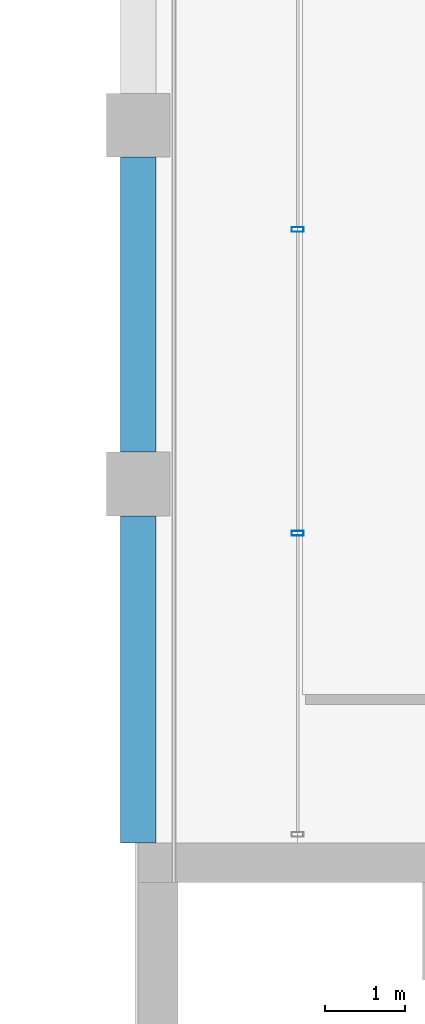
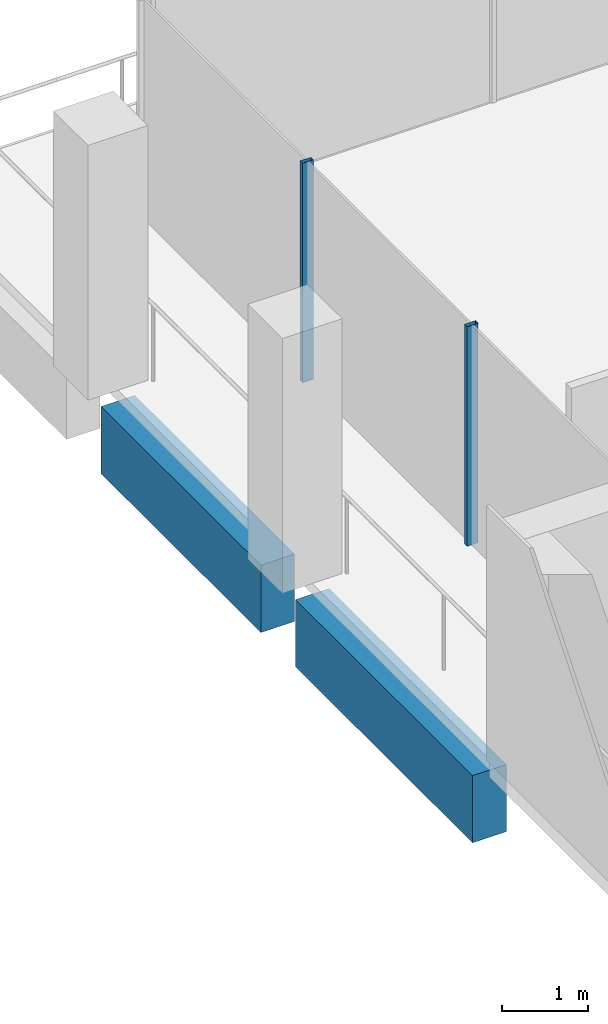
# One storey, part 20 of 30: 2 beams, 2 members, 1 element without a shape of its own.
"""IFC4 building model written with IfcOpenShell, lengths in metres."""

from ifc_helpers import new_model, si_unit, direction, frame, origin, origin_2d, place, context, subcontext, project, spatial, rectangle, hollow_rectangle, extrude, material, material_profile, profile_set, type_object, element, aggregate, save


model = new_model("IFC4")

# Units and contexts
model_context = context("Model", 3, precision=1e-05, world=origin(), true_north=direction((0.0, 1.0)))
body_context = subcontext(model_context, "Body", "Model", "MODEL_VIEW")
ifc_project = project(units=[si_unit("LENGTHUNIT", "METRE"), si_unit("AREAUNIT", "SQUARE_METRE"), si_unit("VOLUMEUNIT", "CUBIC_METRE"), si_unit("PLANEANGLEUNIT", "RADIAN"), si_unit("MASSUNIT", "GRAM", prefix="KILO")], contexts=[model_context])

# Site, building, storey
site_placement = place(None, origin())
site = spatial("IfcSite", under=ifc_project, at=site_placement, CompositionType="ELEMENT")
building_placement = place(site_placement, origin())
building = spatial("IfcBuilding", under=site, at=building_placement, Name="Altepetl Exchange Towers", CompositionType="ELEMENT")
storey_placement = place(building_placement, frame((0.0, 0.0, 217.199951171875)))
storey = spatial("IfcBuildingStorey", under=building, at=storey_placement, Name="L55", CompositionType="ELEMENT", Elevation=217.199951171875)

# Curtain wall, members
ifc_material_1 = material(Name="Aluminium 6063-T6 glazing", Category="aluminium")
curtain_wall_type = type_object("IfcCurtainWallType", Name="Loggia glazing system", PredefinedType="NOTDEFINED", material=ifc_material_1)
curtain_wall_placement = place(storey_placement, origin())
curtain_wall = element("IfcCurtainWall", 1, at=curtain_wall_placement, inside=storey, type_object=curtain_wall_type, Name="CW1 run", PredefinedType="NOTDEFINED")
ifc_material_2 = material(Name="Aluminium 6063-T6", Category="aluminium")
ifc_material_profile_1 = material_profile(ifc_material_2, hollow_rectangle(XDim=0.06005859375, YDim=0.14990234375, WallThickness=0.0029296875, at=origin_2d()), Name="Mullion 60x150 aluminium")
ifc_profile_set_1 = profile_set([ifc_material_profile_1], Name="Aluminium 6063-T6")
member_type = type_object("IfcMemberType", Name="Mullion 60x150 aluminium", PredefinedType="MULLION", material=ifc_profile_set_1)
member_1_placement = place(storey_placement, frame((42.5, 66.191650390625, 0.0), z_axis=(0.0, 0.0, 1.0), x_axis=(0.0, -1.0, 0.0)))
member_1 = element("IfcMember", 2, at=member_1_placement, type_object=member_type, Name="MU1 mullion", PredefinedType="MULLION", context=body_context, shape_type="SweptSolid", body=[
    extrude(hollow_rectangle(XDim=0.06005859375, YDim=0.14990234375, WallThickness=0.0029296875, at=origin_2d()), origin(), (0.0, 0.0, 1.0), 3.10009765625),
])
member_2_placement = place(storey_placement, frame((42.5, 62.38330078125, 0.0), z_axis=(0.0, 0.0, 1.0), x_axis=(0.0, -1.0, 0.0)))
member_2 = element("IfcMember", 3, at=member_2_placement, type_object=member_type, Name="MU1 mullion", PredefinedType="MULLION", context=body_context, shape_type="SweptSolid", body=[
    extrude(hollow_rectangle(XDim=0.06005859375, YDim=0.14990234375, WallThickness=0.0029296875, at=origin_2d()), origin(), (0.0, 0.0, 1.0), 3.10009765625),
])
aggregate(curtain_wall, [member_1, member_2])

# Beams
ifc_material_3 = material(Name="Concrete C50/60 precast with tezontle facing", Category="concrete")
ifc_material_profile_2 = material_profile(ifc_material_3, rectangle(XDim=0.449951171875, YDim=0.949951171875, at=origin_2d()), Name="450 x 950")
ifc_profile_set_2 = profile_set([ifc_material_profile_2], Name="Concrete C50/60 precast with tezontle facing")
beam_type = type_object("IfcBeamType", Name="Spandrel beam 450x950 tezontle", PredefinedType="SPANDREL", material=ifc_profile_set_2)
beam_1_placement = place(storey_placement, frame((40.5, 67.10009765625, -0.625), z_axis=(0.0, -1.0, 0.0), x_axis=(1.0, 0.0, 0.0)))
element("IfcBeam", 4, at=beam_1_placement, inside=storey, type_object=beam_type, Name="sp:A:L55:031", PredefinedType="SPANDREL", context=body_context, shape_type="SweptSolid", body=[
    extrude(rectangle(XDim=0.449951171875, YDim=0.949951171875, at=origin_2d()), origin(), (0.0, 0.0, 1.0), 3.7001953125),
])
beam_2_placement = place(storey_placement, frame((40.5, 62.60009765625, -0.625), z_axis=(0.0, -1.0, 0.0), x_axis=(1.0, 0.0, 0.0)))
element("IfcBeam", 5, at=beam_2_placement, inside=storey, type_object=beam_type, Name="sp:A:L55:032", PredefinedType="SPANDREL", context=body_context, shape_type="SweptSolid", body=[
    extrude(rectangle(XDim=0.449951171875, YDim=0.949951171875, at=origin_2d()), origin(), (0.0, 0.0, 1.0), 4.10009765625),
])

save(model, "model.ifc")
